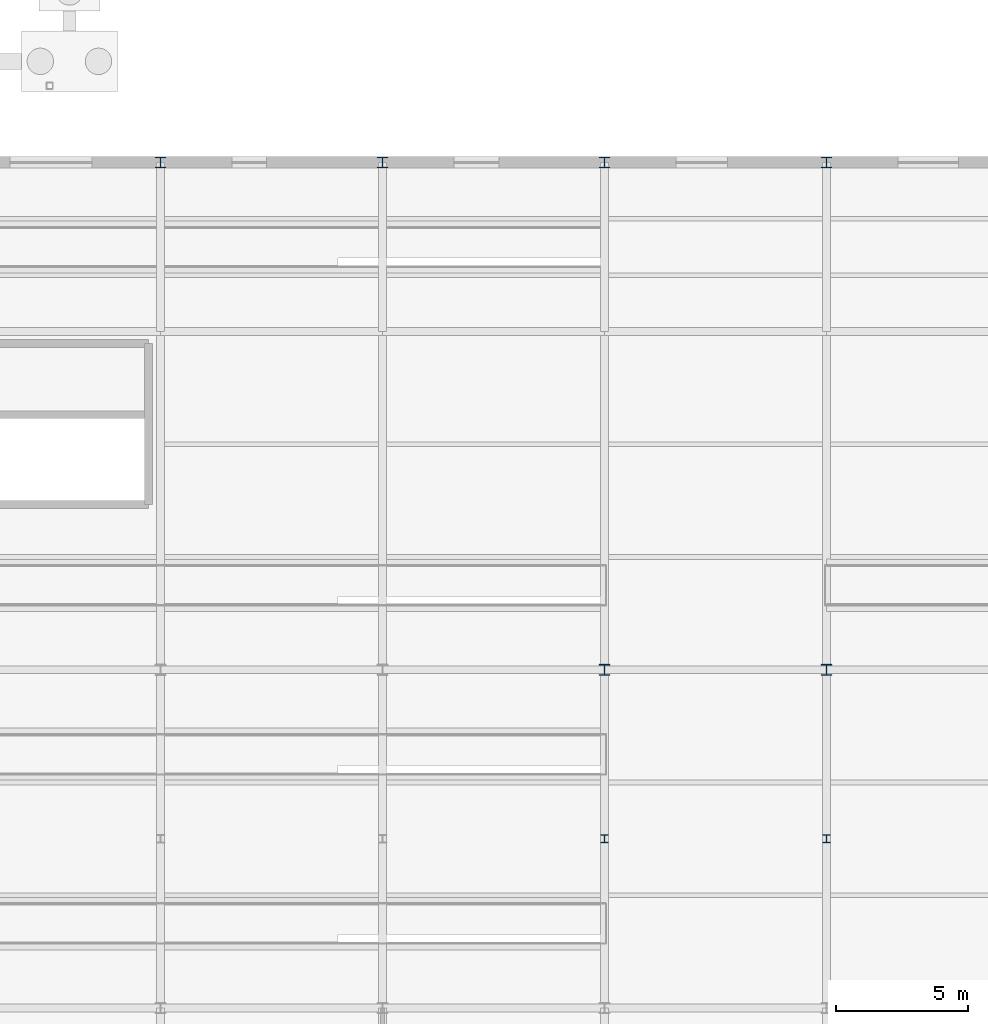
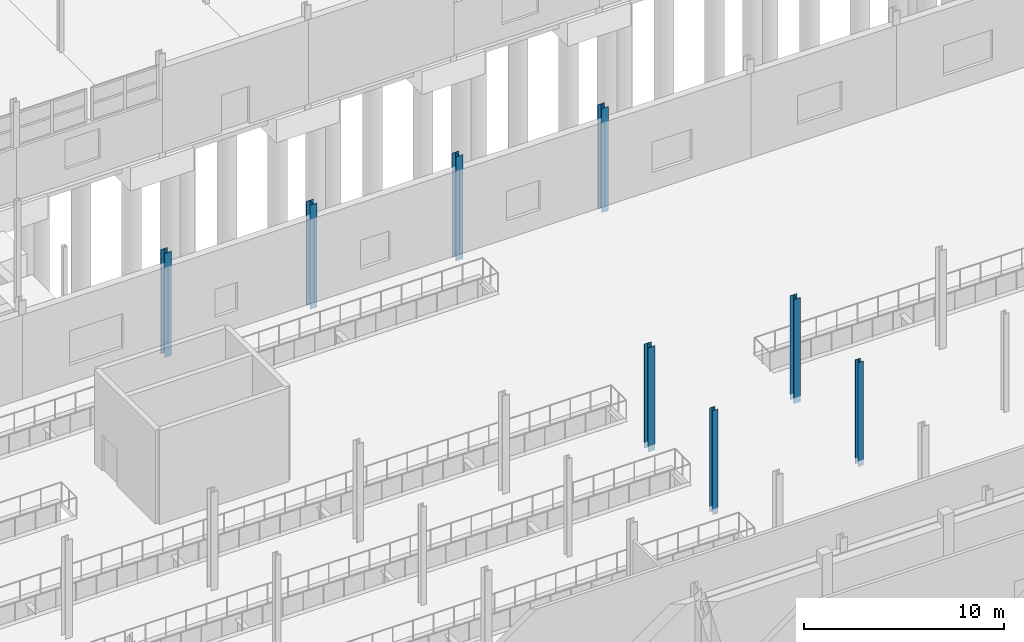
# One storey, part 21 of 139: 8 columns.
"""IFC4 building model written with IfcOpenShell, lengths in metres."""

import ifcopenshell
import ifcopenshell.guid

model = None  # the IFC model being written
_history = None  # IfcOwnerHistory: only IFC2X3 demands one
_inside = {}  # id of a spatial element -> (the spatial element, [elements in it])
_under = {}  # id of a project, library or spatial element -> (it, [spatial elements below it])
_declared = {}  # id of a project -> (the project, [libraries it declares])
_typed = {}  # id of a type object -> (the type object, [elements of that type])
_made_of = {}  # id of a material, layer set ... -> (it, [elements and type objects made of it])


def new_model(schema):
    """Start an empty IFC model of exactly this schema.

    Asked for "IFC4X3", IfcOpenShell would pick the latest addendum, in which some entities
    have other attributes; the version numbers below select the first issue.
    IFC2X3 requires an IfcOwnerHistory on every rooted entity: one is made here for all.
    """
    global model, _history
    if schema == "IFC4X3":
        model = ifcopenshell.file(schema_version=(4, 3, 0, 0))
    else:
        model = ifcopenshell.file(schema=schema)
    _inside.clear()
    _under.clear()
    _declared.clear()
    _typed.clear()
    _made_of.clear()
    _history = None
    if model.schema == "IFC2X3":
        org = make("IfcOrganization", Name="unknown")
        user = make(
            "IfcPersonAndOrganization",
            ThePerson=make("IfcPerson", FamilyName="unknown"),
            TheOrganization=org,
        )
        app = make(
            "IfcApplication",
            ApplicationDeveloper=org,
            Version="unknown",
            ApplicationFullName="unknown",
            ApplicationIdentifier="unknown",
        )
        _history = make(
            "IfcOwnerHistory",
            OwningUser=user,
            OwningApplication=app,
            ChangeAction="ADDED",
            CreationDate=0,
        )
    return model


def make(cls, **values):
    """One entity of the class cls with the attributes given. An attribute that is None is left unset."""
    return model.create_entity(
        cls, **{name: value for name, value in values.items() if value is not None}
    )


def rooted(cls, **values):
    """An entity with a GlobalId (a new one), such as an element, a storey or a relation."""
    return make(cls, GlobalId=ifcopenshell.guid.new(), OwnerHistory=_history, **values)


def si_unit(unit_type, name, prefix=None):
    """IfcSIUnit, for example si_unit("LENGTHUNIT", "METRE", prefix="MILLI")."""
    return make("IfcSIUnit", UnitType=unit_type, Prefix=prefix, Name=name)


def assignment(units):
    """IfcUnitAssignment: the units of a project."""
    return None if units is None else make("IfcUnitAssignment", Units=units)


def point(xyz):
    """IfcCartesianPoint."""
    return None if xyz is None else make("IfcCartesianPoint", Coordinates=xyz)


def direction(xyz):
    """IfcDirection."""
    return None if xyz is None else make("IfcDirection", DirectionRatios=xyz)


def frame(location, z_axis=None, x_axis=None):
    """IfcAxis2Placement3D, a coordinate frame: its origin and axes. An axis left out is left unset."""
    return make(
        "IfcAxis2Placement3D",
        Location=point(location),
        Axis=direction(z_axis),
        RefDirection=direction(x_axis),
    )


def frame_2d(location, x_axis=None):
    """IfcAxis2Placement2D, a coordinate frame in the plane: its origin and x axis."""
    return make(
        "IfcAxis2Placement2D", Location=point(location), RefDirection=direction(x_axis)
    )


def origin():
    """The frame at (0, 0, 0) with its axes left unset."""
    return frame((0.0, 0.0, 0.0))


def origin_2d():
    """The frame at (0, 0) in the plane with its x axis left unset."""
    return frame_2d((0.0, 0.0))


def place(relative_to, where):
    """IfcLocalPlacement: puts the frame where relative to a parent placement (None: the world)."""
    return make(
        "IfcLocalPlacement", PlacementRelTo=relative_to, RelativePlacement=where
    )


def context(
    kind, dimensions, precision=None, world=None, true_north=None, identifier=None
):
    """IfcGeometricRepresentationContext, for example the 3D "Model" context."""
    return make(
        "IfcGeometricRepresentationContext",
        ContextIdentifier=identifier,
        ContextType=kind,
        CoordinateSpaceDimension=dimensions,
        Precision=precision,
        WorldCoordinateSystem=world,
        TrueNorth=true_north,
    )


def subcontext(parent, identifier, kind, view, scale=None):
    """IfcGeometricRepresentationSubContext, for example "Body" below "Model"."""
    return make(
        "IfcGeometricRepresentationSubContext",
        ContextIdentifier=identifier,
        ContextType=kind,
        ParentContext=parent,
        TargetScale=scale,
        TargetView=view,
    )


def project(units=None, contexts=None):
    """IfcProject with its units and contexts."""
    return rooted(
        "IfcProject",
        Name="project",
        RepresentationContexts=contexts,
        UnitsInContext=assignment(units),
    )


def spatial(cls, under=None, at=None, **own):
    """A site, building, storey or space (cls), placed at a placement, below another one or the project."""
    s = rooted(cls, ObjectPlacement=at, **own)
    if under is not None:
        _under.setdefault(under.id(), (under, []))[1].append(s)
    return s


def profile(cls, at=None, kind="AREA", **sizes):
    """A parametric profile (cls). Its sizes go by their IFC names, for example OverallWidth=200.0."""
    return make(cls, ProfileType=kind, Position=at, **sizes)


def i_section(**sizes):
    """IfcIShapeProfileDef."""
    return profile("IfcIShapeProfileDef", **sizes)


def extrude(swept, where, along, depth):
    """IfcExtrudedAreaSolid: the profile swept, set in the frame where, extruded along a direction by depth."""
    return make(
        "IfcExtrudedAreaSolid",
        SweptArea=swept,
        Position=where,
        ExtrudedDirection=direction(along),
        Depth=depth,
    )


def shape(context_of_items, identifier, shape_type, items):
    """IfcShapeRepresentation: the items that make up one representation, for example the "Body"."""
    return make(
        "IfcShapeRepresentation",
        ContextOfItems=context_of_items,
        RepresentationIdentifier=identifier,
        RepresentationType=shape_type,
        Items=items,
    )


def material(Name=None, Category=None):
    """IfcMaterial."""
    return make("IfcMaterial", Name=Name, Category=Category)


def material_profile(
    of_material, cross_section, Name=None, Category=None, Priority=None
):
    """IfcMaterialProfile: a cross section and its material."""
    return make(
        "IfcMaterialProfile",
        Name=Name,
        Material=of_material,
        Profile=cross_section,
        Priority=Priority,
        Category=Category,
    )


def profile_set(profiles, Name=None, composite=None):
    """IfcMaterialProfileSet."""
    return make(
        "IfcMaterialProfileSet",
        Name=Name,
        MaterialProfiles=profiles,
        CompositeProfile=composite,
    )


def made_of(thing, what):
    """Note that an element or type object is made of a material, layer set ...; save() writes the relation."""
    if what is not None:
        _made_of.setdefault(what.id(), (what, []))[1].append(thing)
    return thing


def type_object(cls, material=None, **own):
    """A type object (cls), such as IfcWallType, which elements share."""
    return made_of(rooted(cls, **own), material)


def element(
    cls,
    number,
    at=None,
    inside=None,
    cuts=None,
    type_object=None,
    material=None,
    context=None,
    identifier="Body",
    shape_type=None,
    held_by="IfcProductDefinitionShape",
    body=None,
    shapes=None,
    **own,
):
    """One element of the class cls, such as IfcWall. Its Tag is "e" and its number.

    at: its placement. inside: the storey or other place that contains it. cuts: it is an
    opening in that element (IfcRelVoidsElement). A single representation is given by context,
    identifier, shape_type and body (its items); several are given by shapes. held_by: the class
    of the entity that holds the representations. save() writes the other relations.
    """
    e = rooted(cls, Tag="e%d" % number, ObjectPlacement=at, **own)
    if body is not None:
        shapes = [shape(context, identifier, shape_type, body)]
    if shapes is not None:
        e.Representation = make(held_by, Representations=shapes)
    if inside is not None:
        _inside.setdefault(inside.id(), (inside, []))[1].append(e)
    if cuts is not None:
        rooted(
            "IfcRelVoidsElement", RelatingBuildingElement=cuts, RelatedOpeningElement=e
        )
    if type_object is not None:
        _typed.setdefault(type_object.id(), (type_object, []))[1].append(e)
    return made_of(e, material)


def aggregate(whole, parts):
    """IfcRelAggregates: a whole, such as a stair, and the parts it consists of."""
    return rooted("IfcRelAggregates", RelatingObject=whole, RelatedObjects=parts)


def save(model, path):
    """Write the relations noted so far, then the file.

    IfcRelAggregates (storeys below a building ...), IfcRelContainedInSpatialStructure (elements
    in a storey), IfcRelDefinesByType, IfcRelAssociatesMaterial and IfcRelDeclares: one each for
    every whole, place, type object, material and project.
    """
    for whole, parts in _under.values():
        aggregate(whole, parts)
    for where, things in _inside.values():
        rooted(
            "IfcRelContainedInSpatialStructure",
            RelatedElements=things,
            RelatingStructure=where,
        )
    for kind, things in _typed.values():
        rooted("IfcRelDefinesByType", RelatedObjects=things, RelatingType=kind)
    for what, things in _made_of.values():
        rooted("IfcRelAssociatesMaterial", RelatedObjects=things, RelatingMaterial=what)
    for by, libraries in _declared.values():
        rooted("IfcRelDeclares", RelatingContext=by, RelatedDefinitions=libraries)
    model.write(path)


model = new_model("IFC4")

# Units and contexts
model_context = context("Model", 3, precision=1e-05, world=origin(), true_north=direction((0.0, 1.0)))
body_context = subcontext(model_context, "Body", "Model", "MODEL_VIEW")
ifc_project = project(units=[si_unit("LENGTHUNIT", "METRE"), si_unit("AREAUNIT", "SQUARE_METRE"), si_unit("VOLUMEUNIT", "CUBIC_METRE"), si_unit("PLANEANGLEUNIT", "RADIAN"), si_unit("MASSUNIT", "GRAM", prefix="KILO")], contexts=[model_context])

# Site, building, storey
site_placement = place(None, origin())
site = spatial("IfcSite", under=ifc_project, at=site_placement, CompositionType="ELEMENT")
building_placement = place(site_placement, origin())
building = spatial("IfcBuilding", under=site, at=building_placement, Name="Kazenagashi Tramway Depot", CompositionType="ELEMENT")
storey_placement = place(building_placement, origin())
storey = spatial("IfcBuildingStorey", under=building, at=storey_placement, Name="L01", CompositionType="ELEMENT", Elevation=0.0)

# Columns
ifc_material = material(Name="Steel SN490B", Category="steel")
ifc_material_profile_1 = material_profile(ifc_material, i_section(OverallWidth=0.4, OverallDepth=0.4, WebThickness=0.013, FlangeThickness=0.021, at=origin_2d()), Name="H-400x400x13x21")
ifc_profile_set_1 = profile_set([ifc_material_profile_1], Name="Steel SN490B")
column_type_1 = type_object("IfcColumnType", Name="C-03", PredefinedType="COLUMN", material=ifc_profile_set_1)
for number, where, z_axis, x_axis, name in (
    (1, (95.2, 54.9, -0.35), (0.0, 0.0, 1.0), (1.0, 0.0, 0.0), "Column C-03 COL-0259"),
    (2, (103.6, 54.9, -0.35), (0.0, 0.0, 1.0), (1.0, 0.0, 0.0), "Column C-03 COL-0276"),
    (3, (112.0, 35.7, -0.35), (0.0, 0.0, 1.0), (1.0, 0.0, 0.0), "Column C-03 COL-0290"),
    (4, (112.0, 54.9, -0.35), (0.0, 0.0, 1.0), (1.0, 0.0, 0.0), "Column C-03 COL-0293"),
    (5, (120.4, 35.7, -0.35), (0.0, 0.0, 1.0), (1.0, 0.0, 0.0), "Column C-03 COL-0307"),
    (6, (120.4, 54.9, -0.35), (0.0, 0.0, 1.0), (1.0, 0.0, 0.0), "Column C-03 COL-0310"),
):
    element("IfcColumn", number, at=place(storey_placement, frame(where, z_axis=z_axis, x_axis=x_axis)), inside=storey, type_object=column_type_1, Name=name, PredefinedType="COLUMN", context=body_context, shape_type="SweptSolid", body=[
        extrude(i_section(OverallWidth=0.4, OverallDepth=0.4, WebThickness=0.013, FlangeThickness=0.021, at=origin_2d()), origin(), (0.0, 0.0, 1.0), 6.35),
    ])
ifc_material_profile_2 = material_profile(ifc_material, i_section(OverallWidth=0.3, OverallDepth=0.3, WebThickness=0.01, FlangeThickness=0.015, at=origin_2d()), Name="H-300x300x10x15")
ifc_profile_set_2 = profile_set([ifc_material_profile_2], Name="Steel SN490B")
column_type_2 = type_object("IfcColumnType", Name="C-05", PredefinedType="COLUMN", material=ifc_profile_set_2)
for number, where, z_axis, x_axis, name in (
    (7, (112.0, 29.3, -0.35), (0.0, 0.0, 1.0), (1.0, 0.0, 0.0), "Column C-05 COL-0288"),
    (8, (120.4, 29.3, -0.35), (0.0, 0.0, 1.0), (1.0, 0.0, 0.0), "Column C-05 COL-0305"),
):
    element("IfcColumn", number, at=place(storey_placement, frame(where, z_axis=z_axis, x_axis=x_axis)), inside=storey, type_object=column_type_2, Name=name, PredefinedType="COLUMN", context=body_context, shape_type="SweptSolid", body=[
        extrude(i_section(OverallWidth=0.3, OverallDepth=0.3, WebThickness=0.01, FlangeThickness=0.015, at=origin_2d()), origin(), (0.0, 0.0, 1.0), 6.35),
    ])

save(model, "model.ifc")
